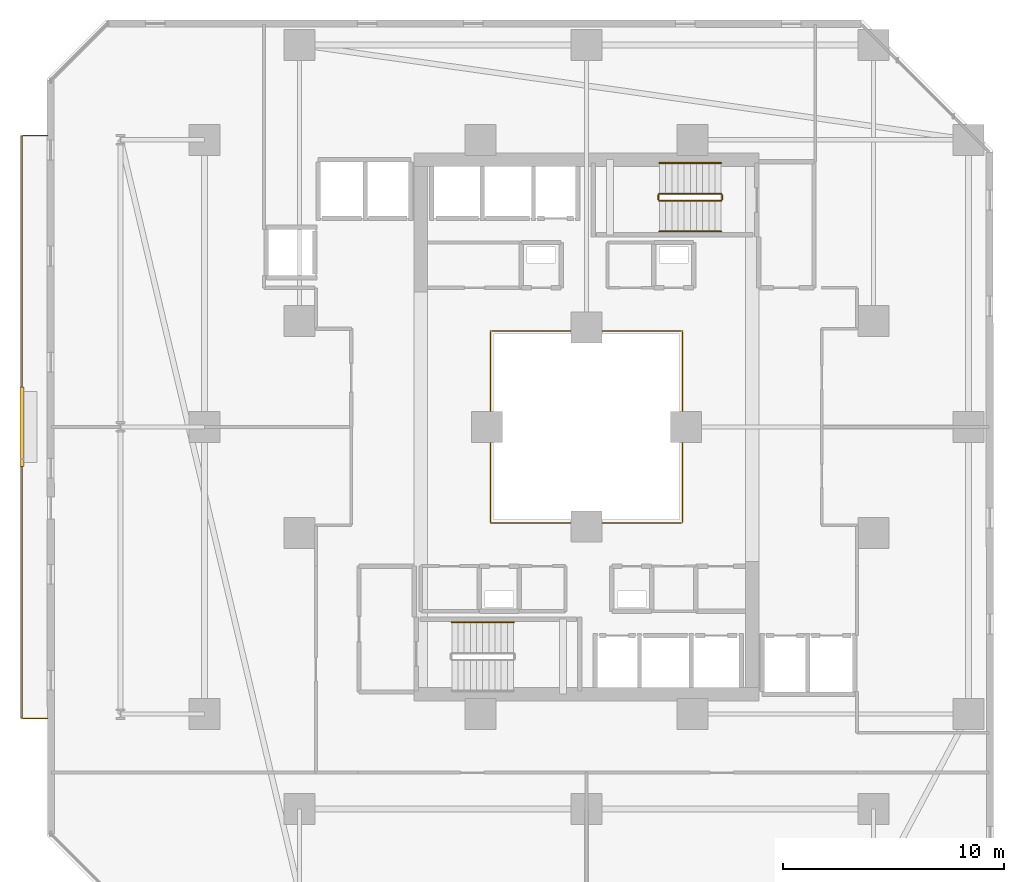
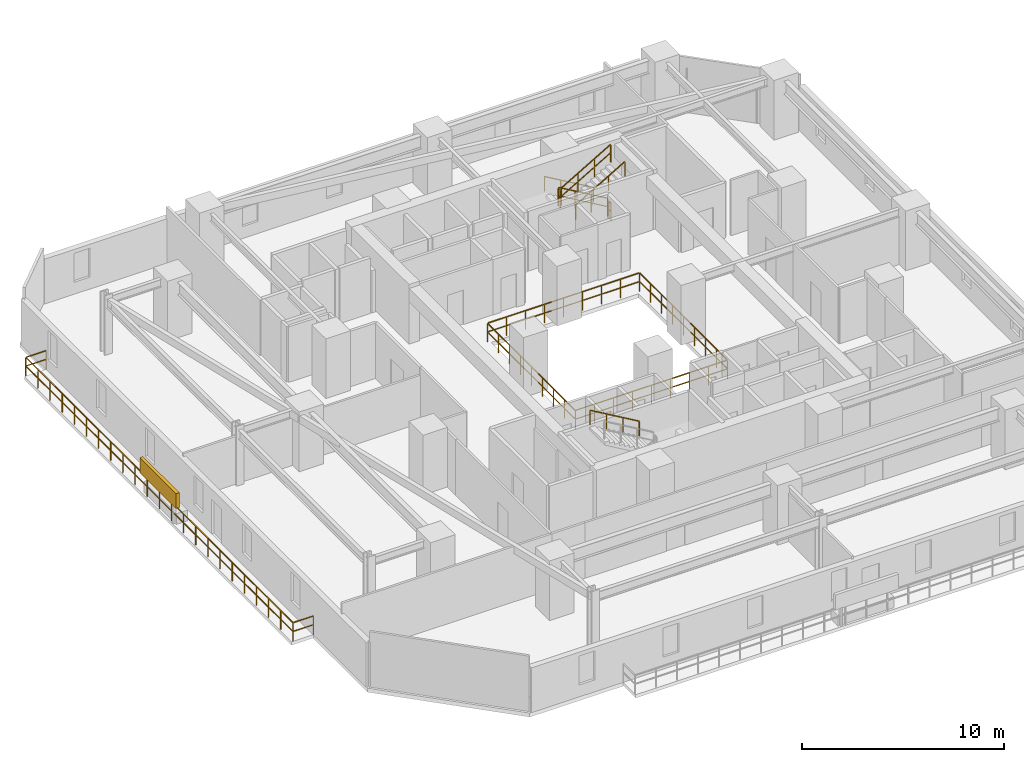
# One storey, part 30 of 33: 9 railings, 1 shading device.
"""IFC4 building model written with IfcOpenShell, lengths in metres."""

from ifc_helpers import new_model, si_unit, direction, frame, origin, origin_2d, place, context, subcontext, project, spatial, rectangle, extrude, material, type_object, element, save


model = new_model("IFC4")

# Units and contexts
model_context = context("Model", 3, precision=1e-05, world=origin(), true_north=direction((0.0, 1.0)))
body_context = subcontext(model_context, "Body", "Model", "MODEL_VIEW")
ifc_project = project(units=[si_unit("LENGTHUNIT", "METRE"), si_unit("AREAUNIT", "SQUARE_METRE"), si_unit("VOLUMEUNIT", "CUBIC_METRE"), si_unit("PLANEANGLEUNIT", "RADIAN"), si_unit("MASSUNIT", "GRAM", prefix="KILO")], contexts=[model_context])

# Site, building, storey
site_placement = place(None, origin())
site = spatial("IfcSite", under=ifc_project, at=site_placement, CompositionType="ELEMENT")
building_placement = place(site_placement, origin())
building = spatial("IfcBuilding", under=site, at=building_placement, Name="Thornwick Lancets Civic Towers", CompositionType="ELEMENT")
storey_placement = place(building_placement, frame((0.0, 0.0, 31.5)))
storey = spatial("IfcBuildingStorey", under=building, at=storey_placement, Name="L07", CompositionType="ELEMENT", Elevation=31.5)

# Railings
ifc_material_1 = material(Name="Laminated glass and bronze steel S355", Category="steel")
railing_type_1 = type_object("IfcRailingType", Name="RAIL_ATRIUM_GUARD", PredefinedType="BALUSTRADE", material=ifc_material_1)
railing_1_placement = place(storey_placement, frame((21.159912109375, 22.659912109375, 0.0)))
element("IfcRailing", 1, at=railing_1_placement, inside=storey, type_object=railing_type_1, Name="L07 Tower A Central Atrium Guard Balustrade", PredefinedType="BALUSTRADE", context=body_context, shape_type="SweptSolid", body=[
    extrude(rectangle(XDim=0.048095703125, YDim=0.048095703125, at=origin_2d()), frame((0.0, 0.0, 1.1259765625), z_axis=(1.0, 0.0, 0.0), x_axis=(0.0, 1.0, 0.0)), (0.0, 0.0, 1.0), 8.64892578125),
    extrude(rectangle(XDim=0.0419921875, YDim=0.0419921875, at=origin_2d()), frame((0.03759765625, 0.0, 0.597900390625), z_axis=(1.0, 0.0, 0.0), x_axis=(0.0, 1.0, 0.0)), (0.0, 0.0, 1.0), 1.010009765625),
    extrude(rectangle(XDim=0.0419921875, YDim=0.0419921875, at=origin_2d()), frame((1.12255859375, 0.0, 0.597900390625), z_axis=(1.0, 0.0, 0.0), x_axis=(0.0, 1.0, 0.0)), (0.0, 0.0, 1.0), 1.010009765625),
    extrude(rectangle(XDim=0.0419921875, YDim=0.0419921875, at=origin_2d()), frame((2.20751953125, 0.0, 0.597900390625), z_axis=(1.0, 0.0, 0.0), x_axis=(0.0, 1.0, 0.0)), (0.0, 0.0, 1.0), 1.010009765625),
    extrude(rectangle(XDim=0.0419921875, YDim=0.0419921875, at=origin_2d()), frame((3.29248046875, 0.0, 0.597900390625), z_axis=(1.0, 0.0, 0.0), x_axis=(0.0, 1.0, 0.0)), (0.0, 0.0, 1.0), 1.010009765625),
    extrude(rectangle(XDim=0.0419921875, YDim=0.0419921875, at=origin_2d()), frame((4.377685546875, 0.0, 0.597900390625), z_axis=(1.0, 0.0, 0.0), x_axis=(0.0, 1.0, 0.0)), (0.0, 0.0, 1.0), 1.010009765625),
    extrude(rectangle(XDim=0.0419921875, YDim=0.0419921875, at=origin_2d()), frame((5.462646484375, 0.0, 0.597900390625), z_axis=(1.0, 0.0, 0.0), x_axis=(0.0, 1.0, 0.0)), (0.0, 0.0, 1.0), 1.010009765625),
    extrude(rectangle(XDim=0.0419921875, YDim=0.0419921875, at=origin_2d()), frame((6.547607421875, 0.0, 0.597900390625), z_axis=(1.0, 0.0, 0.0), x_axis=(0.0, 1.0, 0.0)), (0.0, 0.0, 1.0), 1.010009765625),
    extrude(rectangle(XDim=0.0419921875, YDim=0.0419921875, at=origin_2d()), frame((7.632568359375, 0.0, 0.597900390625), z_axis=(1.0, 0.0, 0.0), x_axis=(0.0, 1.0, 0.0)), (0.0, 0.0, 1.0), 1.010009765625),
    extrude(rectangle(XDim=0.048095703125, YDim=0.048095703125, at=origin_2d()), frame((8.68017578125, 0.03125, 1.1259765625), z_axis=(0.0, 1.0, 0.0), x_axis=(-1.0, 0.0, 0.0)), (0.0, 0.0, 1.0), 8.61767578125),
    extrude(rectangle(XDim=0.0419921875, YDim=0.0419921875, at=origin_2d()), frame((8.68017578125, 0.03759765625, 0.597900390625), z_axis=(0.0, 1.0, 0.0), x_axis=(-1.0, 0.0, 0.0)), (0.0, 0.0, 1.0), 1.010009765625),
    extrude(rectangle(XDim=0.0419921875, YDim=0.0419921875, at=origin_2d()), frame((8.68017578125, 1.12255859375, 0.597900390625), z_axis=(0.0, 1.0, 0.0), x_axis=(-1.0, 0.0, 0.0)), (0.0, 0.0, 1.0), 1.010009765625),
    extrude(rectangle(XDim=0.0419921875, YDim=0.0419921875, at=origin_2d()), frame((8.68017578125, 2.20751953125, 0.597900390625), z_axis=(0.0, 1.0, 0.0), x_axis=(-1.0, 0.0, 0.0)), (0.0, 0.0, 1.0), 1.010009765625),
    extrude(rectangle(XDim=0.0419921875, YDim=0.0419921875, at=origin_2d()), frame((8.68017578125, 3.29248046875, 0.597900390625), z_axis=(0.0, 1.0, 0.0), x_axis=(-1.0, 0.0, 0.0)), (0.0, 0.0, 1.0), 1.010009765625),
    extrude(rectangle(XDim=0.0419921875, YDim=0.0419921875, at=origin_2d()), frame((8.68017578125, 4.377685546875, 0.597900390625), z_axis=(0.0, 1.0, 0.0), x_axis=(-1.0, 0.0, 0.0)), (0.0, 0.0, 1.0), 1.010009765625),
    extrude(rectangle(XDim=0.0419921875, YDim=0.0419921875, at=origin_2d()), frame((8.68017578125, 5.462646484375, 0.597900390625), z_axis=(0.0, 1.0, 0.0), x_axis=(-1.0, 0.0, 0.0)), (0.0, 0.0, 1.0), 1.010009765625),
    extrude(rectangle(XDim=0.0419921875, YDim=0.0419921875, at=origin_2d()), frame((8.68017578125, 6.547607421875, 0.597900390625), z_axis=(0.0, 1.0, 0.0), x_axis=(-1.0, 0.0, 0.0)), (0.0, 0.0, 1.0), 1.010009765625),
    extrude(rectangle(XDim=0.0419921875, YDim=0.0419921875, at=origin_2d()), frame((8.68017578125, 7.632568359375, 0.597900390625), z_axis=(0.0, 1.0, 0.0), x_axis=(-1.0, 0.0, 0.0)), (0.0, 0.0, 1.0), 1.010009765625),
    extrude(rectangle(XDim=0.048095703125, YDim=0.048095703125, at=origin_2d()), frame((8.64892578125, 8.68017578125, 1.1259765625), z_axis=(-1.0, 0.0, 0.0), x_axis=(0.0, -1.0, 0.0)), (0.0, 0.0, 1.0), 8.61767578125),
    extrude(rectangle(XDim=0.0419921875, YDim=0.0419921875, at=origin_2d()), frame((8.642578125, 8.68017578125, 0.597900390625), z_axis=(-1.0, 0.0, 0.0), x_axis=(0.0, -1.0, 0.0)), (0.0, 0.0, 1.0), 1.010009765625),
    extrude(rectangle(XDim=0.0419921875, YDim=0.0419921875, at=origin_2d()), frame((7.5576171875, 8.68017578125, 0.597900390625), z_axis=(-1.0, 0.0, 0.0), x_axis=(0.0, -1.0, 0.0)), (0.0, 0.0, 1.0), 1.010009765625),
    extrude(rectangle(XDim=0.0419921875, YDim=0.0419921875, at=origin_2d()), frame((6.47265625, 8.68017578125, 0.597900390625), z_axis=(-1.0, 0.0, 0.0), x_axis=(0.0, -1.0, 0.0)), (0.0, 0.0, 1.0), 1.010009765625),
    extrude(rectangle(XDim=0.0419921875, YDim=0.0419921875, at=origin_2d()), frame((5.3876953125, 8.68017578125, 0.597900390625), z_axis=(-1.0, 0.0, 0.0), x_axis=(0.0, -1.0, 0.0)), (0.0, 0.0, 1.0), 1.010009765625),
    extrude(rectangle(XDim=0.0419921875, YDim=0.0419921875, at=origin_2d()), frame((4.302490234375, 8.68017578125, 0.597900390625), z_axis=(-1.0, 0.0, 0.0), x_axis=(0.0, -1.0, 0.0)), (0.0, 0.0, 1.0), 1.010009765625),
    extrude(rectangle(XDim=0.0419921875, YDim=0.0419921875, at=origin_2d()), frame((3.217529296875, 8.68017578125, 0.597900390625), z_axis=(-1.0, 0.0, 0.0), x_axis=(0.0, -1.0, 0.0)), (0.0, 0.0, 1.0), 1.010009765625),
    extrude(rectangle(XDim=0.0419921875, YDim=0.0419921875, at=origin_2d()), frame((2.132568359375, 8.68017578125, 0.597900390625), z_axis=(-1.0, 0.0, 0.0), x_axis=(0.0, -1.0, 0.0)), (0.0, 0.0, 1.0), 1.010009765625),
    extrude(rectangle(XDim=0.0419921875, YDim=0.0419921875, at=origin_2d()), frame((1.047607421875, 8.68017578125, 0.597900390625), z_axis=(-1.0, 0.0, 0.0), x_axis=(0.0, -1.0, 0.0)), (0.0, 0.0, 1.0), 1.010009765625),
    extrude(rectangle(XDim=0.048095703125, YDim=0.048095703125, at=origin_2d()), frame((0.0, 8.64892578125, 1.1259765625), z_axis=(0.0, -1.0, 0.0), x_axis=(1.0, 0.0, 0.0)), (0.0, 0.0, 1.0), 8.64892578125),
    extrude(rectangle(XDim=0.0419921875, YDim=0.0419921875, at=origin_2d()), frame((0.0, 8.642578125, 0.597900390625), z_axis=(0.0, -1.0, 0.0), x_axis=(1.0, 0.0, 0.0)), (0.0, 0.0, 1.0), 1.010009765625),
    extrude(rectangle(XDim=0.0419921875, YDim=0.0419921875, at=origin_2d()), frame((0.0, 7.5576171875, 0.597900390625), z_axis=(0.0, -1.0, 0.0), x_axis=(1.0, 0.0, 0.0)), (0.0, 0.0, 1.0), 1.010009765625),
    extrude(rectangle(XDim=0.0419921875, YDim=0.0419921875, at=origin_2d()), frame((0.0, 6.47265625, 0.597900390625), z_axis=(0.0, -1.0, 0.0), x_axis=(1.0, 0.0, 0.0)), (0.0, 0.0, 1.0), 1.010009765625),
    extrude(rectangle(XDim=0.0419921875, YDim=0.0419921875, at=origin_2d()), frame((0.0, 5.3876953125, 0.597900390625), z_axis=(0.0, -1.0, 0.0), x_axis=(1.0, 0.0, 0.0)), (0.0, 0.0, 1.0), 1.010009765625),
    extrude(rectangle(XDim=0.0419921875, YDim=0.0419921875, at=origin_2d()), frame((0.0, 4.302490234375, 0.597900390625), z_axis=(0.0, -1.0, 0.0), x_axis=(1.0, 0.0, 0.0)), (0.0, 0.0, 1.0), 1.010009765625),
    extrude(rectangle(XDim=0.0419921875, YDim=0.0419921875, at=origin_2d()), frame((0.0, 3.217529296875, 0.597900390625), z_axis=(0.0, -1.0, 0.0), x_axis=(1.0, 0.0, 0.0)), (0.0, 0.0, 1.0), 1.010009765625),
    extrude(rectangle(XDim=0.0419921875, YDim=0.0419921875, at=origin_2d()), frame((0.0, 2.132568359375, 0.597900390625), z_axis=(0.0, -1.0, 0.0), x_axis=(1.0, 0.0, 0.0)), (0.0, 0.0, 1.0), 1.010009765625),
    extrude(rectangle(XDim=0.0419921875, YDim=0.0419921875, at=origin_2d()), frame((0.0, 1.047607421875, 0.597900390625), z_axis=(0.0, -1.0, 0.0), x_axis=(1.0, 0.0, 0.0)), (0.0, 0.0, 1.0), 1.010009765625),
    extrude(rectangle(XDim=0.0419921875, YDim=0.0419921875, at=origin_2d()), origin(), (0.0, 0.0, 1.0), 1.095703125),
    extrude(rectangle(XDim=0.0419921875, YDim=0.0419921875, at=origin_2d()), frame((1.0849609375, 0.0, 0.0)), (0.0, 0.0, 1.0), 1.095703125),
    extrude(rectangle(XDim=0.0419921875, YDim=0.0419921875, at=origin_2d()), frame((2.169921875, 0.0, 0.0)), (0.0, 0.0, 1.0), 1.095703125),
    extrude(rectangle(XDim=0.0419921875, YDim=0.0419921875, at=origin_2d()), frame((3.255126953125, 0.0, 0.0)), (0.0, 0.0, 1.0), 1.095703125),
    extrude(rectangle(XDim=0.0419921875, YDim=0.0419921875, at=origin_2d()), frame((4.340087890625, 0.0, 0.0)), (0.0, 0.0, 1.0), 1.095703125),
    extrude(rectangle(XDim=0.0419921875, YDim=0.0419921875, at=origin_2d()), frame((5.425048828125, 0.0, 0.0)), (0.0, 0.0, 1.0), 1.095703125),
    extrude(rectangle(XDim=0.0419921875, YDim=0.0419921875, at=origin_2d()), frame((6.51025390625, 0.0, 0.0)), (0.0, 0.0, 1.0), 1.095703125),
    extrude(rectangle(XDim=0.0419921875, YDim=0.0419921875, at=origin_2d()), frame((7.59521484375, 0.0, 0.0)), (0.0, 0.0, 1.0), 1.095703125),
    extrude(rectangle(XDim=0.0419921875, YDim=0.0419921875, at=origin_2d()), frame((8.68017578125, 0.0, 0.0)), (0.0, 0.0, 1.0), 1.095703125),
    extrude(rectangle(XDim=0.0419921875, YDim=0.0419921875, at=origin_2d()), frame((8.68017578125, 1.0849609375, 0.0)), (0.0, 0.0, 1.0), 1.095703125),
    extrude(rectangle(XDim=0.0419921875, YDim=0.0419921875, at=origin_2d()), frame((8.68017578125, 2.169921875, 0.0)), (0.0, 0.0, 1.0), 1.095703125),
    extrude(rectangle(XDim=0.0419921875, YDim=0.0419921875, at=origin_2d()), frame((8.68017578125, 3.255126953125, 0.0)), (0.0, 0.0, 1.0), 1.095703125),
    extrude(rectangle(XDim=0.0419921875, YDim=0.0419921875, at=origin_2d()), frame((8.68017578125, 4.340087890625, 0.0)), (0.0, 0.0, 1.0), 1.095703125),
    extrude(rectangle(XDim=0.0419921875, YDim=0.0419921875, at=origin_2d()), frame((8.68017578125, 5.425048828125, 0.0)), (0.0, 0.0, 1.0), 1.095703125),
    extrude(rectangle(XDim=0.0419921875, YDim=0.0419921875, at=origin_2d()), frame((8.68017578125, 6.51025390625, 0.0)), (0.0, 0.0, 1.0), 1.095703125),
    extrude(rectangle(XDim=0.0419921875, YDim=0.0419921875, at=origin_2d()), frame((8.68017578125, 7.59521484375, 0.0)), (0.0, 0.0, 1.0), 1.095703125),
    extrude(rectangle(XDim=0.0419921875, YDim=0.0419921875, at=origin_2d()), frame((8.68017578125, 8.68017578125, 0.0)), (0.0, 0.0, 1.0), 1.095703125),
    extrude(rectangle(XDim=0.0419921875, YDim=0.0419921875, at=origin_2d()), frame((7.59521484375, 8.68017578125, 0.0)), (0.0, 0.0, 1.0), 1.095703125),
    extrude(rectangle(XDim=0.0419921875, YDim=0.0419921875, at=origin_2d()), frame((6.51025390625, 8.68017578125, 0.0)), (0.0, 0.0, 1.0), 1.095703125),
    extrude(rectangle(XDim=0.0419921875, YDim=0.0419921875, at=origin_2d()), frame((5.425048828125, 8.68017578125, 0.0)), (0.0, 0.0, 1.0), 1.095703125),
    extrude(rectangle(XDim=0.0419921875, YDim=0.0419921875, at=origin_2d()), frame((4.340087890625, 8.68017578125, 0.0)), (0.0, 0.0, 1.0), 1.095703125),
    extrude(rectangle(XDim=0.0419921875, YDim=0.0419921875, at=origin_2d()), frame((3.255126953125, 8.68017578125, 0.0)), (0.0, 0.0, 1.0), 1.095703125),
    extrude(rectangle(XDim=0.0419921875, YDim=0.0419921875, at=origin_2d()), frame((2.169921875, 8.68017578125, 0.0)), (0.0, 0.0, 1.0), 1.095703125),
    extrude(rectangle(XDim=0.0419921875, YDim=0.0419921875, at=origin_2d()), frame((1.0849609375, 8.68017578125, 0.0)), (0.0, 0.0, 1.0), 1.095703125),
    extrude(rectangle(XDim=0.0419921875, YDim=0.0419921875, at=origin_2d()), frame((0.0, 8.68017578125, 0.0)), (0.0, 0.0, 1.0), 1.095703125),
    extrude(rectangle(XDim=0.0419921875, YDim=0.0419921875, at=origin_2d()), frame((0.0, 7.59521484375, 0.0)), (0.0, 0.0, 1.0), 1.095703125),
    extrude(rectangle(XDim=0.0419921875, YDim=0.0419921875, at=origin_2d()), frame((0.0, 6.51025390625, 0.0)), (0.0, 0.0, 1.0), 1.095703125),
    extrude(rectangle(XDim=0.0419921875, YDim=0.0419921875, at=origin_2d()), frame((0.0, 5.425048828125, 0.0)), (0.0, 0.0, 1.0), 1.095703125),
    extrude(rectangle(XDim=0.0419921875, YDim=0.0419921875, at=origin_2d()), frame((0.0, 4.340087890625, 0.0)), (0.0, 0.0, 1.0), 1.095703125),
    extrude(rectangle(XDim=0.0419921875, YDim=0.0419921875, at=origin_2d()), frame((0.0, 3.255126953125, 0.0)), (0.0, 0.0, 1.0), 1.095703125),
    extrude(rectangle(XDim=0.0419921875, YDim=0.0419921875, at=origin_2d()), frame((0.0, 2.169921875, 0.0)), (0.0, 0.0, 1.0), 1.095703125),
    extrude(rectangle(XDim=0.0419921875, YDim=0.0419921875, at=origin_2d()), frame((0.0, 1.0849609375, 0.0)), (0.0, 0.0, 1.0), 1.095703125),
])
ifc_material_2 = material(Name="Brushed stainless steel S355", Category="steel")
railing_type_2 = type_object("IfcRailingType", Name="RAIL_HANDRAIL", PredefinedType="HANDRAIL", material=ifc_material_2)
for number, where, name in (
    (2, (22.199951171875, 18.14990234375, 1.963623046875), "L07 ST-A1 stair handrail 2"),
    (3, (31.60009765625, 38.949951171875, 0.16357421875), "L07 ST-A2 stair handrail 1"),
):
    element("IfcRailing", number, at=place(storey_placement, frame(where)), inside=storey, type_object=railing_type_2, Name=name, PredefinedType="HANDRAIL", context=body_context, shape_type="SweptSolid", body=[
        extrude(rectangle(XDim=0.048095703125, YDim=0.048095703125, at=origin_2d()), frame((0.0, 0.0, 0.8857421875), z_axis=(-0.863360870873, 0.0, 0.504586966384), x_axis=(0.0, -1.0, 0.0)), (0.0, 0.0, 1.0), 3.2431640625),
        extrude(rectangle(XDim=0.0419921875, YDim=0.0419921875, at=origin_2d()), origin(), (0.0, 0.0, 1.0), 0.855712890625),
        extrude(rectangle(XDim=0.0419921875, YDim=0.0419921875, at=origin_2d()), frame((-0.933349609375, 0.0, 0.54541015625)), (0.0, 0.0, 1.0), 0.855712890625),
        extrude(rectangle(XDim=0.0419921875, YDim=0.0419921875, at=origin_2d()), frame((-1.86669921875, 0.0, 1.091064453125)), (0.0, 0.0, 1.0), 0.855712890625),
        extrude(rectangle(XDim=0.0419921875, YDim=0.0419921875, at=origin_2d()), frame((-2.800048828125, 0.0, 1.636474609375)), (0.0, 0.0, 1.0), 0.855712890625),
    ])
railing_2_placement = place(storey_placement, frame((28.800048828125, 35.85009765625, 1.963623046875)))
element("IfcRailing", 4, at=railing_2_placement, inside=storey, type_object=railing_type_2, Name="L07 ST-A2 stair handrail 2", PredefinedType="HANDRAIL", context=body_context, shape_type="SweptSolid", body=[
    extrude(rectangle(XDim=0.048095703125, YDim=0.048095703125, at=origin_2d()), frame((0.0, 0.0, 0.8857421875), z_axis=(0.863360870873, 0.0, 0.504586966384), x_axis=(0.0, 1.0, 0.0)), (0.0, 0.0, 1.0), 3.2431640625),
    extrude(rectangle(XDim=0.0419921875, YDim=0.0419921875, at=origin_2d()), origin(), (0.0, 0.0, 1.0), 0.855712890625),
    extrude(rectangle(XDim=0.0419921875, YDim=0.0419921875, at=origin_2d()), frame((0.933349609375, 0.0, 0.54541015625)), (0.0, 0.0, 1.0), 0.855712890625),
    extrude(rectangle(XDim=0.0419921875, YDim=0.0419921875, at=origin_2d()), frame((1.86669921875, 0.0, 1.091064453125)), (0.0, 0.0, 1.0), 0.855712890625),
    extrude(rectangle(XDim=0.0419921875, YDim=0.0419921875, at=origin_2d()), frame((2.800048828125, 0.0, 1.636474609375)), (0.0, 0.0, 1.0), 0.855712890625),
])
ifc_material_3 = material(Name="Steel S355JR", Category="steel")
railing_type_3 = type_object("IfcRailingType", Name="RAIL_STAIR_GUARD", PredefinedType="GUARDRAIL", material=ifc_material_3)
railing_3_placement = place(storey_placement, frame((31.60009765625, 37.550048828125, 0.16357421875)))
element("IfcRailing", 5, at=railing_3_placement, inside=storey, type_object=railing_type_3, Name="L07 ST-A2 stair guard 1", PredefinedType="GUARDRAIL", context=body_context, shape_type="SweptSolid", body=[
    extrude(rectangle(XDim=0.048095703125, YDim=0.048095703125, at=origin_2d()), frame((0.0, 0.0, 1.076171875), z_axis=(-0.863360870873, 0.0, 0.504586966384), x_axis=(0.0, -1.0, 0.0)), (0.0, 0.0, 1.0), 3.2431640625),
    extrude(rectangle(XDim=0.0419921875, YDim=0.0419921875, at=origin_2d()), frame((-0.032470703125, 0.0, 0.591064453125), z_axis=(-0.863360870873, 0.0, 0.504586966384), x_axis=(0.0, -1.0, 0.0)), (0.0, 0.0, 1.0), 1.006103515625),
    extrude(rectangle(XDim=0.0419921875, YDim=0.0419921875, at=origin_2d()), frame((-0.9658203125, 0.0, 1.136474609375), z_axis=(-0.863360870873, 0.0, 0.504586966384), x_axis=(0.0, -1.0, 0.0)), (0.0, 0.0, 1.0), 1.006103515625),
    extrude(rectangle(XDim=0.0419921875, YDim=0.0419921875, at=origin_2d()), frame((-1.899169921875, 0.0, 1.681884765625), z_axis=(-0.863360870873, 0.0, 0.504586966384), x_axis=(0.0, -1.0, 0.0)), (0.0, 0.0, 1.0), 1.006103515625),
    extrude(rectangle(XDim=0.0419921875, YDim=0.0419921875, at=origin_2d()), origin(), (0.0, 0.0, 1.0), 1.0458984375),
    extrude(rectangle(XDim=0.0419921875, YDim=0.0419921875, at=origin_2d()), frame((-0.933349609375, 0.0, 0.54541015625)), (0.0, 0.0, 1.0), 1.0458984375),
    extrude(rectangle(XDim=0.0419921875, YDim=0.0419921875, at=origin_2d()), frame((-1.86669921875, 0.0, 1.091064453125)), (0.0, 0.0, 1.0), 1.0458984375),
    extrude(rectangle(XDim=0.0419921875, YDim=0.0419921875, at=origin_2d()), frame((-2.800048828125, 0.0, 1.636474609375)), (0.0, 0.0, 1.0), 1.0458984375),
])
railing_4_placement = place(storey_placement, frame((28.75, 37.5, 1.800048828125)))
element("IfcRailing", 6, at=railing_4_placement, inside=storey, type_object=railing_type_3, Name="L07 ST-A2 stair guard 2", PredefinedType="GUARDRAIL", context=body_context, shape_type="SweptSolid", body=[
    extrude(rectangle(XDim=0.048095703125, YDim=0.048095703125, at=origin_2d()), frame((0.0, 0.0, 1.076171875), z_axis=(0.0, -1.0, 0.0), x_axis=(1.0, 0.0, 0.0)), (0.0, 0.0, 1.0), 0.199951171875),
    extrude(rectangle(XDim=0.0419921875, YDim=0.0419921875, at=origin_2d()), frame((0.0, -0.03759765625, 0.572021484375), z_axis=(0.0, -1.0, 0.0), x_axis=(1.0, 0.0, 0.0)), (0.0, 0.0, 1.0), 0.125),
    extrude(rectangle(XDim=0.0419921875, YDim=0.0419921875, at=origin_2d()), origin(), (0.0, 0.0, 1.0), 1.0458984375),
    extrude(rectangle(XDim=0.0419921875, YDim=0.0419921875, at=origin_2d()), frame((0.0, -0.199951171875, 0.0)), (0.0, 0.0, 1.0), 1.0458984375),
])
railing_5_placement = place(storey_placement, frame((28.800048828125, 37.25, 1.963623046875)))
element("IfcRailing", 7, at=railing_5_placement, inside=storey, type_object=railing_type_3, Name="L07 ST-A2 stair guard 3", PredefinedType="GUARDRAIL", context=body_context, shape_type="SweptSolid", body=[
    extrude(rectangle(XDim=0.048095703125, YDim=0.048095703125, at=origin_2d()), frame((0.0, 0.0, 1.076171875), z_axis=(0.863360870873, 0.0, 0.504586966384), x_axis=(0.0, 1.0, 0.0)), (0.0, 0.0, 1.0), 3.2431640625),
    extrude(rectangle(XDim=0.0419921875, YDim=0.0419921875, at=origin_2d()), frame((0.032470703125, 0.0, 0.591064453125), z_axis=(0.863360870873, 0.0, 0.504586966384), x_axis=(0.0, 1.0, 0.0)), (0.0, 0.0, 1.0), 1.006103515625),
    extrude(rectangle(XDim=0.0419921875, YDim=0.0419921875, at=origin_2d()), frame((0.9658203125, 0.0, 1.136474609375), z_axis=(0.863360870873, 0.0, 0.504586966384), x_axis=(0.0, 1.0, 0.0)), (0.0, 0.0, 1.0), 1.006103515625),
    extrude(rectangle(XDim=0.0419921875, YDim=0.0419921875, at=origin_2d()), frame((1.899169921875, 0.0, 1.681884765625), z_axis=(0.863360870873, 0.0, 0.504586966384), x_axis=(0.0, 1.0, 0.0)), (0.0, 0.0, 1.0), 1.006103515625),
    extrude(rectangle(XDim=0.0419921875, YDim=0.0419921875, at=origin_2d()), origin(), (0.0, 0.0, 1.0), 1.0458984375),
    extrude(rectangle(XDim=0.0419921875, YDim=0.0419921875, at=origin_2d()), frame((0.933349609375, 0.0, 0.54541015625)), (0.0, 0.0, 1.0), 1.0458984375),
    extrude(rectangle(XDim=0.0419921875, YDim=0.0419921875, at=origin_2d()), frame((1.86669921875, 0.0, 1.091064453125)), (0.0, 0.0, 1.0), 1.0458984375),
    extrude(rectangle(XDim=0.0419921875, YDim=0.0419921875, at=origin_2d()), frame((2.800048828125, 0.0, 1.636474609375)), (0.0, 0.0, 1.0), 1.0458984375),
])
railing_6_placement = place(storey_placement, frame((31.64990234375, 37.5, 0.0)))
element("IfcRailing", 8, at=railing_6_placement, inside=storey, type_object=railing_type_3, Name="L07 ST-A2 stair guard 4", PredefinedType="GUARDRAIL", context=body_context, shape_type="SweptSolid", body=[
    extrude(rectangle(XDim=0.048095703125, YDim=0.048095703125, at=origin_2d()), frame((0.0, 0.0, 1.076171875), z_axis=(0.0, -1.0, 0.0), x_axis=(1.0, 0.0, 0.0)), (0.0, 0.0, 1.0), 0.199951171875),
    extrude(rectangle(XDim=0.0419921875, YDim=0.0419921875, at=origin_2d()), frame((0.0, -0.03759765625, 0.572021484375), z_axis=(0.0, -1.0, 0.0), x_axis=(1.0, 0.0, 0.0)), (0.0, 0.0, 1.0), 0.125),
    extrude(rectangle(XDim=0.0419921875, YDim=0.0419921875, at=origin_2d()), origin(), (0.0, 0.0, 1.0), 1.0458984375),
    extrude(rectangle(XDim=0.0419921875, YDim=0.0419921875, at=origin_2d()), frame((0.0, -0.199951171875, 0.0)), (0.0, 0.0, 1.0), 1.0458984375),
])
ifc_material_4 = material(Name="Terracotta-capped laminated glass balustrade S355", Category="masonry")
railing_type_4 = type_object("IfcRailingType", Name="RAIL_TERR_GUARD", PredefinedType="GUARDRAIL", material=ifc_material_4)
railing_7_placement = place(storey_placement, frame((1.10009765625, 13.800048828125, 0.0)))
element("IfcRailing", 9, at=railing_7_placement, inside=storey, type_object=railing_type_4, Name="L07 Tower A Balcony Guard W", PredefinedType="GUARDRAIL", context=body_context, shape_type="SweptSolid", body=[
    extrude(rectangle(XDim=0.048095703125, YDim=0.048095703125, at=origin_2d()), frame((0.0, 0.0, 1.1259765625), z_axis=(-1.0, 0.0, 0.0), x_axis=(0.0, -1.0, 0.0)), (0.0, 0.0, 1.0), 1.138916015625),
    extrude(rectangle(XDim=0.0419921875, YDim=0.0419921875, at=origin_2d()), frame((-0.03759765625, 0.0, 0.597900390625), z_axis=(-1.0, 0.0, 0.0), x_axis=(0.0, -1.0, 0.0)), (0.0, 0.0, 1.0), 1.09521484375),
    extrude(rectangle(XDim=0.048095703125, YDim=0.048095703125, at=origin_2d()), frame((-1.170166015625, 0.03125, 1.1259765625), z_axis=(0.0, 1.0, 0.0), x_axis=(-1.0, 0.0, 0.0)), (0.0, 0.0, 1.0), 26.33740234375),
    extrude(rectangle(XDim=0.0419921875, YDim=0.0419921875, at=origin_2d()), frame((-1.170166015625, 0.03759765625, 0.597900390625), z_axis=(0.0, 1.0, 0.0), x_axis=(-1.0, 0.0, 0.0)), (0.0, 0.0, 1.0), 1.125),
    extrude(rectangle(XDim=0.0419921875, YDim=0.0419921875, at=origin_2d()), frame((-1.170166015625, 1.237548828125, 0.597900390625), z_axis=(0.0, 1.0, 0.0), x_axis=(-1.0, 0.0, 0.0)), (0.0, 0.0, 1.0), 1.125),
    extrude(rectangle(XDim=0.0419921875, YDim=0.0419921875, at=origin_2d()), frame((-1.170166015625, 2.4375, 0.597900390625), z_axis=(0.0, 1.0, 0.0), x_axis=(-1.0, 0.0, 0.0)), (0.0, 0.0, 1.0), 1.125),
    extrude(rectangle(XDim=0.0419921875, YDim=0.0419921875, at=origin_2d()), frame((-1.170166015625, 3.637451171875, 0.597900390625), z_axis=(0.0, 1.0, 0.0), x_axis=(-1.0, 0.0, 0.0)), (0.0, 0.0, 1.0), 1.125),
    extrude(rectangle(XDim=0.0419921875, YDim=0.0419921875, at=origin_2d()), frame((-1.170166015625, 4.83740234375, 0.597900390625), z_axis=(0.0, 1.0, 0.0), x_axis=(-1.0, 0.0, 0.0)), (0.0, 0.0, 1.0), 1.125),
    extrude(rectangle(XDim=0.0419921875, YDim=0.0419921875, at=origin_2d()), frame((-1.170166015625, 6.037353515625, 0.597900390625), z_axis=(0.0, 1.0, 0.0), x_axis=(-1.0, 0.0, 0.0)), (0.0, 0.0, 1.0), 1.125),
    extrude(rectangle(XDim=0.0419921875, YDim=0.0419921875, at=origin_2d()), frame((-1.170166015625, 7.237548828125, 0.597900390625), z_axis=(0.0, 1.0, 0.0), x_axis=(-1.0, 0.0, 0.0)), (0.0, 0.0, 1.0), 1.125),
    extrude(rectangle(XDim=0.0419921875, YDim=0.0419921875, at=origin_2d()), frame((-1.170166015625, 8.4375, 0.597900390625), z_axis=(0.0, 1.0, 0.0), x_axis=(-1.0, 0.0, 0.0)), (0.0, 0.0, 1.0), 1.125),
    extrude(rectangle(XDim=0.0419921875, YDim=0.0419921875, at=origin_2d()), frame((-1.170166015625, 9.637451171875, 0.597900390625), z_axis=(0.0, 1.0, 0.0), x_axis=(-1.0, 0.0, 0.0)), (0.0, 0.0, 1.0), 1.125),
    extrude(rectangle(XDim=0.0419921875, YDim=0.0419921875, at=origin_2d()), frame((-1.170166015625, 10.83740234375, 0.597900390625), z_axis=(0.0, 1.0, 0.0), x_axis=(-1.0, 0.0, 0.0)), (0.0, 0.0, 1.0), 1.125),
    extrude(rectangle(XDim=0.0419921875, YDim=0.0419921875, at=origin_2d()), frame((-1.170166015625, 12.037353515625, 0.597900390625), z_axis=(0.0, 1.0, 0.0), x_axis=(-1.0, 0.0, 0.0)), (0.0, 0.0, 1.0), 1.125),
    extrude(rectangle(XDim=0.0419921875, YDim=0.0419921875, at=origin_2d()), frame((-1.170166015625, 13.237548828125, 0.597900390625), z_axis=(0.0, 1.0, 0.0), x_axis=(-1.0, 0.0, 0.0)), (0.0, 0.0, 1.0), 1.125),
    extrude(rectangle(XDim=0.0419921875, YDim=0.0419921875, at=origin_2d()), frame((-1.170166015625, 14.4375, 0.597900390625), z_axis=(0.0, 1.0, 0.0), x_axis=(-1.0, 0.0, 0.0)), (0.0, 0.0, 1.0), 1.125),
    extrude(rectangle(XDim=0.0419921875, YDim=0.0419921875, at=origin_2d()), frame((-1.170166015625, 15.637451171875, 0.597900390625), z_axis=(0.0, 1.0, 0.0), x_axis=(-1.0, 0.0, 0.0)), (0.0, 0.0, 1.0), 1.125),
    extrude(rectangle(XDim=0.0419921875, YDim=0.0419921875, at=origin_2d()), frame((-1.170166015625, 16.83740234375, 0.597900390625), z_axis=(0.0, 1.0, 0.0), x_axis=(-1.0, 0.0, 0.0)), (0.0, 0.0, 1.0), 1.125),
    extrude(rectangle(XDim=0.0419921875, YDim=0.0419921875, at=origin_2d()), frame((-1.170166015625, 18.037353515625, 0.597900390625), z_axis=(0.0, 1.0, 0.0), x_axis=(-1.0, 0.0, 0.0)), (0.0, 0.0, 1.0), 1.125),
    extrude(rectangle(XDim=0.0419921875, YDim=0.0419921875, at=origin_2d()), frame((-1.170166015625, 19.2373046875, 0.597900390625), z_axis=(0.0, 1.0, 0.0), x_axis=(-1.0, 0.0, 0.0)), (0.0, 0.0, 1.0), 1.125),
    extrude(rectangle(XDim=0.0419921875, YDim=0.0419921875, at=origin_2d()), frame((-1.170166015625, 20.4375, 0.597900390625), z_axis=(0.0, 1.0, 0.0), x_axis=(-1.0, 0.0, 0.0)), (0.0, 0.0, 1.0), 1.125),
    extrude(rectangle(XDim=0.0419921875, YDim=0.0419921875, at=origin_2d()), frame((-1.170166015625, 21.637451171875, 0.597900390625), z_axis=(0.0, 1.0, 0.0), x_axis=(-1.0, 0.0, 0.0)), (0.0, 0.0, 1.0), 1.125),
    extrude(rectangle(XDim=0.0419921875, YDim=0.0419921875, at=origin_2d()), frame((-1.170166015625, 22.83740234375, 0.597900390625), z_axis=(0.0, 1.0, 0.0), x_axis=(-1.0, 0.0, 0.0)), (0.0, 0.0, 1.0), 1.125),
    extrude(rectangle(XDim=0.0419921875, YDim=0.0419921875, at=origin_2d()), frame((-1.170166015625, 24.037353515625, 0.597900390625), z_axis=(0.0, 1.0, 0.0), x_axis=(-1.0, 0.0, 0.0)), (0.0, 0.0, 1.0), 1.125),
    extrude(rectangle(XDim=0.0419921875, YDim=0.0419921875, at=origin_2d()), frame((-1.170166015625, 25.2373046875, 0.597900390625), z_axis=(0.0, 1.0, 0.0), x_axis=(-1.0, 0.0, 0.0)), (0.0, 0.0, 1.0), 1.125),
    extrude(rectangle(XDim=0.048095703125, YDim=0.048095703125, at=origin_2d()), frame((-1.138916015625, 26.39990234375, 1.1259765625), z_axis=(1.0, 0.0, 0.0), x_axis=(0.0, 1.0, 0.0)), (0.0, 0.0, 1.0), 1.138916015625),
    extrude(rectangle(XDim=0.0419921875, YDim=0.0419921875, at=origin_2d()), frame((-1.132568359375, 26.39990234375, 0.597900390625), z_axis=(1.0, 0.0, 0.0), x_axis=(0.0, 1.0, 0.0)), (0.0, 0.0, 1.0), 1.09521484375),
    extrude(rectangle(XDim=0.0419921875, YDim=0.0419921875, at=origin_2d()), origin(), (0.0, 0.0, 1.0), 1.095703125),
    extrude(rectangle(XDim=0.0419921875, YDim=0.0419921875, at=origin_2d()), frame((-1.170166015625, 0.0, 0.0)), (0.0, 0.0, 1.0), 1.095703125),
    extrude(rectangle(XDim=0.0419921875, YDim=0.0419921875, at=origin_2d()), frame((-1.170166015625, 1.199951171875, 0.0)), (0.0, 0.0, 1.0), 1.095703125),
    extrude(rectangle(XDim=0.0419921875, YDim=0.0419921875, at=origin_2d()), frame((-1.170166015625, 2.39990234375, 0.0)), (0.0, 0.0, 1.0), 1.095703125),
    extrude(rectangle(XDim=0.0419921875, YDim=0.0419921875, at=origin_2d()), frame((-1.170166015625, 3.60009765625, 0.0)), (0.0, 0.0, 1.0), 1.095703125),
    extrude(rectangle(XDim=0.0419921875, YDim=0.0419921875, at=origin_2d()), frame((-1.170166015625, 4.800048828125, 0.0)), (0.0, 0.0, 1.0), 1.095703125),
    extrude(rectangle(XDim=0.0419921875, YDim=0.0419921875, at=origin_2d()), frame((-1.170166015625, 6.0, 0.0)), (0.0, 0.0, 1.0), 1.095703125),
    extrude(rectangle(XDim=0.0419921875, YDim=0.0419921875, at=origin_2d()), frame((-1.170166015625, 7.199951171875, 0.0)), (0.0, 0.0, 1.0), 1.095703125),
    extrude(rectangle(XDim=0.0419921875, YDim=0.0419921875, at=origin_2d()), frame((-1.170166015625, 8.39990234375, 0.0)), (0.0, 0.0, 1.0), 1.095703125),
    extrude(rectangle(XDim=0.0419921875, YDim=0.0419921875, at=origin_2d()), frame((-1.170166015625, 9.599853515625, 0.0)), (0.0, 0.0, 1.0), 1.095703125),
    extrude(rectangle(XDim=0.0419921875, YDim=0.0419921875, at=origin_2d()), frame((-1.170166015625, 10.800048828125, 0.0)), (0.0, 0.0, 1.0), 1.095703125),
    extrude(rectangle(XDim=0.0419921875, YDim=0.0419921875, at=origin_2d()), frame((-1.170166015625, 12.0, 0.0)), (0.0, 0.0, 1.0), 1.095703125),
    extrude(rectangle(XDim=0.0419921875, YDim=0.0419921875, at=origin_2d()), frame((-1.170166015625, 13.199951171875, 0.0)), (0.0, 0.0, 1.0), 1.095703125),
    extrude(rectangle(XDim=0.0419921875, YDim=0.0419921875, at=origin_2d()), frame((-1.170166015625, 14.39990234375, 0.0)), (0.0, 0.0, 1.0), 1.095703125),
    extrude(rectangle(XDim=0.0419921875, YDim=0.0419921875, at=origin_2d()), frame((-1.170166015625, 15.599853515625, 0.0)), (0.0, 0.0, 1.0), 1.095703125),
    extrude(rectangle(XDim=0.0419921875, YDim=0.0419921875, at=origin_2d()), frame((-1.170166015625, 16.800048828125, 0.0)), (0.0, 0.0, 1.0), 1.095703125),
    extrude(rectangle(XDim=0.0419921875, YDim=0.0419921875, at=origin_2d()), frame((-1.170166015625, 18.0, 0.0)), (0.0, 0.0, 1.0), 1.095703125),
    extrude(rectangle(XDim=0.0419921875, YDim=0.0419921875, at=origin_2d()), frame((-1.170166015625, 19.199951171875, 0.0)), (0.0, 0.0, 1.0), 1.095703125),
    extrude(rectangle(XDim=0.0419921875, YDim=0.0419921875, at=origin_2d()), frame((-1.170166015625, 20.39990234375, 0.0)), (0.0, 0.0, 1.0), 1.095703125),
    extrude(rectangle(XDim=0.0419921875, YDim=0.0419921875, at=origin_2d()), frame((-1.170166015625, 21.599853515625, 0.0)), (0.0, 0.0, 1.0), 1.095703125),
    extrude(rectangle(XDim=0.0419921875, YDim=0.0419921875, at=origin_2d()), frame((-1.170166015625, 22.7998046875, 0.0)), (0.0, 0.0, 1.0), 1.095703125),
    extrude(rectangle(XDim=0.0419921875, YDim=0.0419921875, at=origin_2d()), frame((-1.170166015625, 24.0, 0.0)), (0.0, 0.0, 1.0), 1.095703125),
    extrude(rectangle(XDim=0.0419921875, YDim=0.0419921875, at=origin_2d()), frame((-1.170166015625, 25.199951171875, 0.0)), (0.0, 0.0, 1.0), 1.095703125),
    extrude(rectangle(XDim=0.0419921875, YDim=0.0419921875, at=origin_2d()), frame((-1.170166015625, 26.39990234375, 0.0)), (0.0, 0.0, 1.0), 1.095703125),
    extrude(rectangle(XDim=0.0419921875, YDim=0.0419921875, at=origin_2d()), frame((0.0, 26.39990234375, 0.0)), (0.0, 0.0, 1.0), 1.095703125),
])

# Shading device
ifc_material_5 = material(Name="Extruded terracotta baguette solar screen", Category="masonry")
shading_device_type = type_object("IfcShadingDeviceType", Name="SHADE_BAGUETTE", PredefinedType="JALOUSIE", material=ifc_material_5)
shading_device_placement = place(storey_placement, frame((-0.06005859375, 27.0, 1.1201171875), z_axis=(0.0, 0.0, 1.0), x_axis=(0.0, 1.0, 0.0)))
element("IfcShadingDevice", 10, at=shading_device_placement, inside=storey, type_object=shading_device_type, Name="L07 Tower A Terracotta Baguette Screen W", PredefinedType="JALOUSIE", context=body_context, shape_type="SweptSolid", body=[
    extrude(rectangle(XDim=3.60009765625, YDim=0.179931640625, at=origin_2d()), origin(), (0.0, 0.0, 1.0), 0.89990234375),
])

save(model, "model.ifc")
